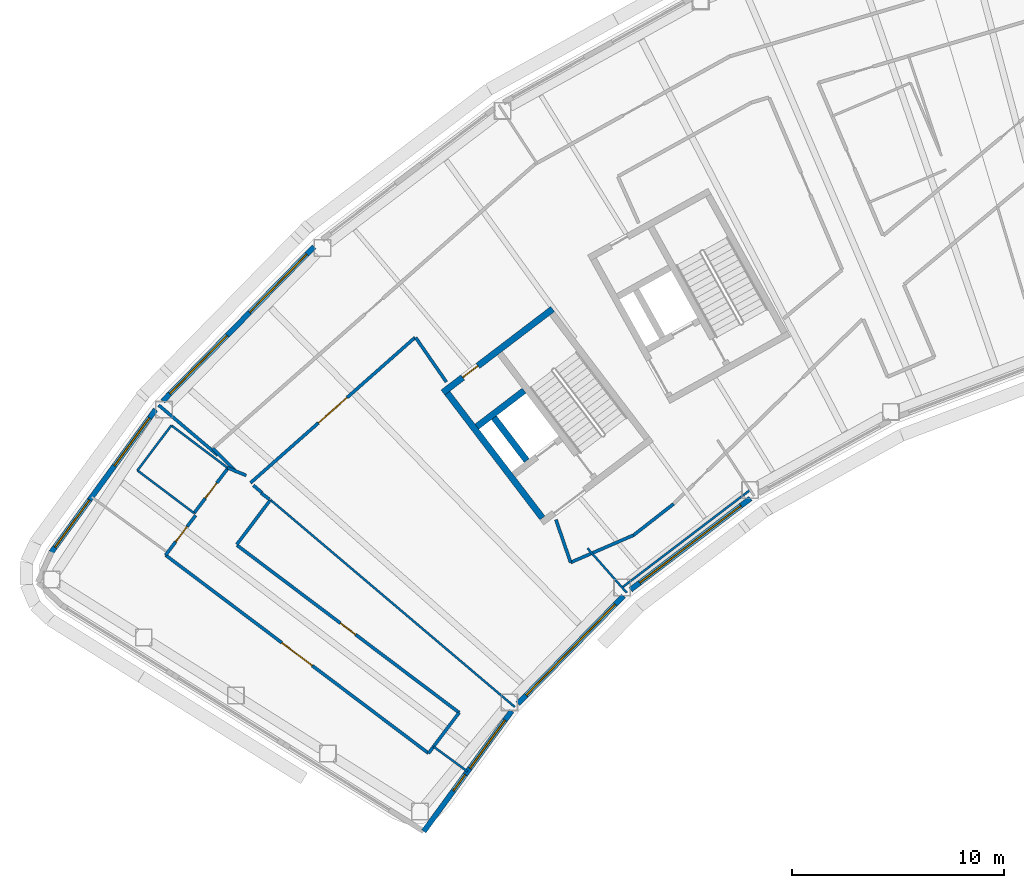
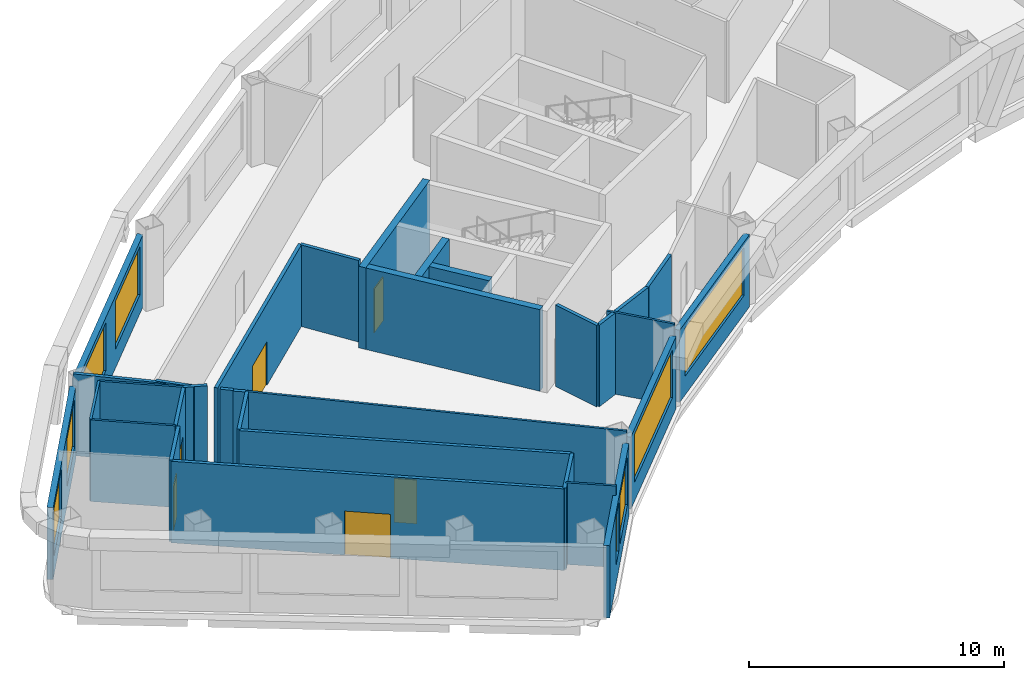
# One storey, part 5 of 14: 32 walls, 8 windows, 6 doors, 14 openings.
"""IFC4 building model written with IfcOpenShell, lengths in metres."""

from ifc_helpers import new_model, si_unit, direction, frame, frame_2d, origin, place, context, subcontext, project, spatial, rectangle, extrude, material, layer, layer_set, type_object, element, fill, save


model = new_model("IFC4")

# Units and contexts
model_context = context("Model", 3, precision=1e-05, world=origin(), true_north=direction((0.0, 1.0)))
body_context = subcontext(model_context, "Body", "Model", "MODEL_VIEW")
ifc_project = project(units=[si_unit("LENGTHUNIT", "METRE"), si_unit("AREAUNIT", "SQUARE_METRE"), si_unit("VOLUMEUNIT", "CUBIC_METRE"), si_unit("PLANEANGLEUNIT", "RADIAN"), si_unit("MASSUNIT", "GRAM", prefix="KILO")], contexts=[model_context])

# Site, building, storey
site_placement = place(None, origin())
site = spatial("IfcSite", under=ifc_project, at=site_placement, CompositionType="ELEMENT")
building_placement = place(site_placement, origin())
building = spatial("IfcBuilding", under=site, at=building_placement, Name="Tuul Gate Civic Tower", CompositionType="ELEMENT")
storey_placement = place(building_placement, frame((0.0, 0.0, 323.89990234375)))
storey = spatial("IfcBuildingStorey", under=building, at=storey_placement, Name="Level 73", CompositionType="ELEMENT", Elevation=323.89990234375)

# Wall
ifc_material_1 = material(Name="Concrete C50/60", Category="concrete")
ifc_layer_1 = layer(ifc_material_1, 0.300048828125)
ifc_layer_set_1 = layer_set([ifc_layer_1], Name="Concrete C50/60")
wall_type_1 = type_object("IfcWallType", Name="Core wall C50/60", PredefinedType="SHEAR", material=ifc_layer_set_1)
wall_1_placement = place(storey_placement, frame((-37.197509765625, -11.39306640625, 0.0), z_axis=(0.0, 0.0, 1.0), x_axis=(-0.795583820278, -0.605843531707, 0.0)))
element("IfcWall", 1, at=wall_1_placement, inside=storey, type_object=wall_type_1, Name="Core wall", PredefinedType="SHEAR", context=body_context, shape_type="SweptSolid", body=[
    extrude(rectangle(XDim=2.7998046875, YDim=0.300048828125, at=frame_2d((1.39990234375, 0.0))), origin(), (0.0, 0.0, 1.0), 3.900146484375),
])

# Wall, opening, door
wall_2_placement = place(storey_placement, frame((-35.855224609375, -7.543212890625, 0.0), z_axis=(0.0, 0.0, 1.0), x_axis=(-0.79563860527, -0.605771582202, 0.0)))
wall_2 = element("IfcWall", 2, at=wall_2_placement, inside=storey, type_object=wall_type_1, Name="Core wall", PredefinedType="SHEAR", context=body_context, shape_type="SweptSolid", body=[
    extrude(rectangle(XDim=6.5, YDim=0.300048828125, at=frame_2d((3.25, 0.0))), origin(), (0.0, 0.0, 1.0), 3.900146484375),
])
opening_1_placement = place(wall_2_placement, frame((4.425048828125, 0.0, 0.0)))
opening_1 = element("IfcOpeningElement", 3, at=opening_1_placement, cuts=wall_2, Name="Opening AA-D28", PredefinedType="OPENING", context=body_context, shape_type="SweptSolid", body=[
    extrude(rectangle(XDim=0.89990234375, YDim=2.10009765625, at=frame_2d((0.449951171875, 1.050048828125))), frame((0.0, 0.16015625, 0.0), z_axis=(0.0, -1.0, 0.0), x_axis=(1.0, 0.0, 0.0)), (0.0, 0.0, 1.0), 0.320068359375),
])
ifc_material_2 = material(Name="Timber door leaf", Category="wood")
door_type_1 = type_object("IfcDoorType", Name="Door D09", OperationType="NOTDEFINED", PredefinedType="DOOR", material=ifc_material_2)
door_1_placement = place(opening_1_placement, origin())
door_1 = element("IfcDoor", 4, at=door_1_placement, inside=storey, type_object=door_type_1, Name="Door AA-D28", OperationType="SINGLE_SWING_LEFT", OverallHeight=2.10009765625, OverallWidth=0.89990234375, PredefinedType="DOOR", context=body_context, shape_type="SweptSolid", body=[
    extrude(rectangle(XDim=0.89990234375, YDim=2.10009765625, at=frame_2d((0.449951171875, 1.050048828125))), frame((0.0, 0.02490234375, 0.0), z_axis=(0.0, -1.0, 0.0), x_axis=(1.0, 0.0, 0.0)), (0.0, 0.0, 1.0), 0.050048828125),
])
fill(opening_1, door_1)

# Walls
wall_3_placement = place(storey_placement, frame((-37.073486328125, -14.6923828125, 0.0), z_axis=(0.0, 0.0, 1.0), x_axis=(-0.605728760074, 0.79567120673, 0.0)))
element("IfcWall", 5, at=wall_3_placement, inside=storey, type_object=wall_type_1, Name="Core wall", PredefinedType="SHEAR", context=body_context, shape_type="SweptSolid", body=[
    extrude(rectangle(XDim=2.550048828125, YDim=0.300048828125, at=frame_2d((1.27490234375, 0.0))), origin(), (0.0, 0.0, 1.0), 3.900146484375),
])
wall_4_placement = place(storey_placement, frame((-36.333984375, -17.397216796875, 0.0), z_axis=(0.0, 0.0, 1.0), x_axis=(-0.605753921168, 0.795652051458, 0.0)))
element("IfcWall", 6, at=wall_4_placement, inside=storey, type_object=wall_type_1, Name="Core wall", PredefinedType="SHEAR", context=body_context, shape_type="SweptSolid", body=[
    extrude(rectangle(XDim=7.400146484375, YDim=0.300048828125, at=frame_2d((3.7001953125, 0.0))), origin(), (0.0, 0.0, 1.0), 3.900146484375),
])
ifc_material_3 = material(Name="Gypsum board partition")
ifc_layer_2 = layer(ifc_material_3, 0.14990234375)
ifc_layer_set_2 = layer_set([ifc_layer_2], Name="Gypsum board partition")
wall_type_2 = type_object("IfcWallType", Name="Corridor wall P150", PredefinedType="PARTITIONING", material=ifc_layer_set_2)
wall_5_placement = place(storey_placement, frame((-51.87841796875, -14.11962890625, 0.0), z_axis=(0.0, 0.0, 1.0), x_axis=(0.711673860688, -0.702510011326, 0.0)))
element("IfcWall", 7, at=wall_5_placement, inside=storey, type_object=wall_type_2, Name="p038", PredefinedType="PARTITIONING", context=body_context, shape_type="SweptSolid", body=[
    extrude(rectangle(XDim=1.57177734375, YDim=0.14990234375, at=frame_2d((0.785888671875, 0.0))), origin(), (0.0, 0.0, 1.0), 3.900146484375),
])
wall_6_placement = place(storey_placement, frame((-54.4326171875, -12.07421875, 0.0), z_axis=(0.0, 0.0, 1.0), x_axis=(0.762901166705, -0.646515127309, 0.0)))
element("IfcWall", 8, at=wall_6_placement, inside=storey, type_object=wall_type_2, Name="p039", PredefinedType="PARTITIONING", context=body_context, shape_type="SweptSolid", body=[
    extrude(rectangle(XDim=3.666748046875, YDim=0.14990234375, at=frame_2d((1.83349609375, 0.0))), origin(), (0.0, 0.0, 1.0), 3.900146484375),
])
wall_7_placement = place(storey_placement, frame((-49.968994140625, -15.857421875, 0.0), z_axis=(0.0, 0.0, 1.0), x_axis=(0.762801987049, -0.64663214315, 0.0)))
element("IfcWall", 9, at=wall_7_placement, inside=storey, type_object=wall_type_2, Name="p040", PredefinedType="PARTITIONING", context=body_context, shape_type="SweptSolid", body=[
    extrude(rectangle(XDim=0.523193359375, YDim=0.14990234375, at=frame_2d((0.26171875, 0.0))), origin(), (0.0, 0.0, 1.0), 3.900146484375),
])
wall_8_placement = place(storey_placement, frame((-41.705078125, -28.493408203125, 0.0), z_axis=(0.0, 0.0, 1.0), x_axis=(0.601790021966, 0.798654349179, 0.0)))
element("IfcWall", 10, at=wall_8_placement, inside=storey, type_object=wall_type_2, Name="p046", PredefinedType="PARTITIONING", context=body_context, shape_type="SweptSolid", body=[
    extrude(rectangle(XDim=2.3984375, YDim=0.14990234375, at=frame_2d((1.19921875, 0.0))), origin(), (0.0, 0.0, 1.0), 3.900146484375),
])

# Wall, opening, door
wall_9_placement = place(storey_placement, frame((-50.7451171875, -18.67724609375, 0.0), z_axis=(0.0, 0.0, 1.0), x_axis=(0.798640971106, -0.601807776015, 0.0)))
wall_9 = element("IfcWall", 11, at=wall_9_placement, inside=storey, type_object=wall_type_2, Name="p047", PredefinedType="PARTITIONING", context=body_context, shape_type="SweptSolid", body=[
    extrude(rectangle(XDim=13.12646484375, YDim=0.14990234375, at=frame_2d((6.563232421875, 0.0))), origin(), (0.0, 0.0, 1.0), 3.900146484375),
])
opening_2_placement = place(wall_9_placement, frame((6.11328125, 0.0, 0.0)))
opening_2 = element("IfcOpeningElement", 12, at=opening_2_placement, cuts=wall_9, Name="Opening AA-D06", PredefinedType="OPENING", context=body_context, shape_type="SweptSolid", body=[
    extrude(rectangle(XDim=0.89990234375, YDim=2.10009765625, at=frame_2d((0.449951171875, 1.050048828125))), frame((0.0, 0.0849609375, 0.0), z_axis=(0.0, -1.0, 0.0), x_axis=(1.0, 0.0, 0.0)), (0.0, 0.0, 1.0), 0.169921875),
])
door_2_placement = place(opening_2_placement, origin())
door_2 = element("IfcDoor", 13, at=door_2_placement, inside=storey, type_object=door_type_1, Name="Door AA-D06", OperationType="SINGLE_SWING_RIGHT", OverallHeight=2.10009765625, OverallWidth=0.89990234375, PredefinedType="DOOR", context=body_context, shape_type="SweptSolid", body=[
    extrude(rectangle(XDim=0.89990234375, YDim=2.10009765625, at=frame_2d((0.449951171875, 1.050048828125))), frame((0.0, 0.02490234375, 0.0), z_axis=(0.0, -1.0, 0.0), x_axis=(1.0, 0.0, 0.0)), (0.0, 0.0, 1.0), 0.050048828125),
])
fill(opening_2, door_2)

# Wall
wall_10_placement = place(storey_placement, frame((-50.7490234375, -18.649169921875, 0.0), z_axis=(0.0, 0.0, 1.0), x_axis=(0.601833006212, 0.798621958522, 0.0)))
element("IfcWall", 14, at=wall_10_placement, inside=storey, type_object=wall_type_2, Name="p048", PredefinedType="PARTITIONING", context=body_context, shape_type="SweptSolid", body=[
    extrude(rectangle(XDim=2.618896484375, YDim=0.14990234375, at=frame_2d((1.3095703125, 0.0))), origin(), (0.0, 0.0, 1.0), 3.900146484375),
])

# Wall, opening, door
wall_11_placement = place(storey_placement, frame((-52.7626953125, -17.1689453125, 0.0), z_axis=(0.0, 0.0, 1.0), x_axis=(0.601806091049, 0.798642240792, 0.0)))
wall_11 = element("IfcWall", 15, at=wall_11_placement, inside=storey, type_object=wall_type_2, Name="p049", PredefinedType="PARTITIONING", context=body_context, shape_type="SweptSolid", body=[
    extrude(rectangle(XDim=2.657958984375, YDim=0.14990234375, at=frame_2d((1.3291015625, 0.0))), origin(), (0.0, 0.0, 1.0), 3.900146484375),
])
opening_3_placement = place(wall_11_placement, frame((0.879150390625, 0.0, 0.0)))
opening_3 = element("IfcOpeningElement", 16, at=opening_3_placement, cuts=wall_11, Name="Opening AA-D07", PredefinedType="OPENING", context=body_context, shape_type="SweptSolid", body=[
    extrude(rectangle(XDim=0.89990234375, YDim=2.10009765625, at=frame_2d((0.449951171875, 1.050048828125))), frame((0.0, 0.0849609375, 0.0), z_axis=(0.0, -1.0, 0.0), x_axis=(1.0, 0.0, 0.0)), (0.0, 0.0, 1.0), 0.169921875),
])
door_3_placement = place(opening_3_placement, origin())
door_3 = element("IfcDoor", 17, at=door_3_placement, inside=storey, type_object=door_type_1, Name="Door AA-D07", OperationType="SINGLE_SWING_RIGHT", OverallHeight=2.10009765625, OverallWidth=0.89990234375, PredefinedType="DOOR", context=body_context, shape_type="SweptSolid", body=[
    extrude(rectangle(XDim=0.89990234375, YDim=2.10009765625, at=frame_2d((0.449951171875, 1.050048828125))), frame((0.0, 0.02490234375, 0.0), z_axis=(0.0, -1.0, 0.0), x_axis=(1.0, 0.0, 0.0)), (0.0, 0.0, 1.0), 0.050048828125),
])
fill(opening_3, door_3)

# Walls
wall_12_placement = place(storey_placement, frame((-51.18701171875, -15.028076171875, 0.0), z_axis=(0.0, 0.0, 1.0), x_axis=(0.924566919074, -0.381019700481, 0.0)))
element("IfcWall", 18, at=wall_12_placement, inside=storey, type_object=wall_type_2, Name="p050", PredefinedType="PARTITIONING", context=body_context, shape_type="SweptSolid", body=[
    extrude(rectangle(XDim=0.955322265625, YDim=0.14990234375, at=frame_2d((0.4775390625, 0.0))), origin(), (0.0, 0.0, 1.0), 3.900146484375),
])
wall_13_placement = place(storey_placement, frame((-49.594482421875, -16.228515625, 0.0), z_axis=(0.0, 0.0, 1.0), x_axis=(0.798668600467, -0.60177110817, 0.0)))
element("IfcWall", 19, at=wall_13_placement, inside=storey, type_object=wall_type_2, Name="p051", PredefinedType="PARTITIONING", context=body_context, shape_type="SweptSolid", body=[
    extrude(rectangle(XDim=0.48486328125, YDim=0.14990234375, at=frame_2d((0.242431640625, 0.0))), origin(), (0.0, 0.0, 1.0), 3.900146484375),
])

# Wall, opening, door
wall_14_placement = place(storey_placement, frame((-54.105224609375, -19.1494140625, 0.0), z_axis=(0.0, 0.0, 1.0), x_axis=(0.601810855583, 0.798638650519, 0.0)))
wall_14 = element("IfcWall", 20, at=wall_14_placement, inside=storey, type_object=wall_type_2, Name="p055", PredefinedType="PARTITIONING", context=body_context, shape_type="SweptSolid", body=[
    extrude(rectangle(XDim=2.349365234375, YDim=0.14990234375, at=frame_2d((1.1748046875, 0.0))), origin(), (0.0, 0.0, 1.0), 3.900146484375),
])
opening_4_placement = place(wall_14_placement, frame((0.788818359375, 0.0, 0.0)))
opening_4 = element("IfcOpeningElement", 21, at=opening_4_placement, cuts=wall_14, Name="Opening AA-D26", PredefinedType="OPENING", context=body_context, shape_type="SweptSolid", body=[
    extrude(rectangle(XDim=0.89990234375, YDim=2.10009765625, at=frame_2d((0.449951171875, 1.050048828125))), frame((0.0, 0.0849609375, 0.0), z_axis=(0.0, -1.0, 0.0), x_axis=(1.0, 0.0, 0.0)), (0.0, 0.0, 1.0), 0.169921875),
])
door_4_placement = place(opening_4_placement, origin())
door_4 = element("IfcDoor", 22, at=door_4_placement, inside=storey, type_object=door_type_1, Name="Door AA-D26", OperationType="SINGLE_SWING_LEFT", OverallHeight=2.10009765625, OverallWidth=0.89990234375, PredefinedType="DOOR", context=body_context, shape_type="SweptSolid", body=[
    extrude(rectangle(XDim=0.89990234375, YDim=2.10009765625, at=frame_2d((0.449951171875, 1.050048828125))), frame((0.0, 0.02490234375, 0.0), z_axis=(0.0, -1.0, 0.0), x_axis=(1.0, 0.0, 0.0)), (0.0, 0.0, 1.0), 0.050048828125),
])
fill(opening_4, door_4)

wall_15_placement = place(storey_placement, frame((-54.10498046875, -19.150390625, 0.0), z_axis=(0.0, 0.0, 1.0), x_axis=(0.798635479728, -0.601815063387, 0.0)))
wall_15 = element("IfcWall", 23, at=wall_15_placement, inside=storey, type_object=wall_type_2, Name="p056", PredefinedType="PARTITIONING", context=body_context, shape_type="SweptSolid", body=[
    extrude(rectangle(XDim=15.525146484375, YDim=0.14990234375, at=frame_2d((7.7626953125, 0.0))), origin(), (0.0, 0.0, 1.0), 3.900146484375),
])
opening_5_placement = place(wall_15_placement, frame((6.862548828125, 0.0, 0.0)))
opening_5 = element("IfcOpeningElement", 24, at=opening_5_placement, cuts=wall_15, Name="Opening AA-D08", PredefinedType="OPENING", context=body_context, shape_type="SweptSolid", body=[
    extrude(rectangle(XDim=1.800048828125, YDim=2.10009765625, at=frame_2d((0.89990234375, 1.050048828125))), frame((0.0, 0.0849609375, 0.0), z_axis=(0.0, -1.0, 0.0), x_axis=(1.0, 0.0, 0.0)), (0.0, 0.0, 1.0), 0.169921875),
])
ifc_material_4 = material(Name="Timber door leaf, double", Category="wood")
door_type_2 = type_object("IfcDoorType", Name="Door D18", OperationType="DOUBLE_DOOR_SINGLE_SWING", PredefinedType="DOOR", material=ifc_material_4)
door_5_placement = place(opening_5_placement, frame((1.800048828125, 0.0, 0.0), z_axis=(0.0, 0.0, 1.0), x_axis=(-1.0, 0.0, 0.0)))
door_5 = element("IfcDoor", 25, at=door_5_placement, inside=storey, type_object=door_type_2, Name="Door AA-D08", OperationType="DOUBLE_DOOR_SINGLE_SWING", OverallHeight=2.10009765625, OverallWidth=1.800048828125, PredefinedType="DOOR", context=body_context, shape_type="SweptSolid", body=[
    extrude(rectangle(XDim=1.800048828125, YDim=2.10009765625, at=frame_2d((0.900146484375, 1.050048828125))), frame((0.0, 0.02490234375, 0.0), z_axis=(0.0, -1.0, 0.0), x_axis=(1.0, 0.0, 0.0)), (0.0, 0.0, 1.0), 0.050048828125),
])
fill(opening_5, door_5)

# Walls
wall_16_placement = place(storey_placement, frame((-35.00390625, -19.4951171875, 0.0), z_axis=(0.0, 0.0, 1.0), x_axis=(0.917587753469, 0.397533287517, 0.0)))
element("IfcWall", 26, at=wall_16_placement, inside=storey, type_object=wall_type_2, Name="p078", PredefinedType="PARTITIONING", context=body_context, shape_type="SweptSolid", body=[
    extrude(rectangle(XDim=3.234130859375, YDim=0.14990234375, at=frame_2d((1.6171875, 0.0))), origin(), (0.0, 0.0, 1.0), 3.900146484375),
])
wall_17_placement = place(storey_placement, frame((-32.035400390625, -18.20947265625, 0.0), z_axis=(0.0, 0.0, 1.0), x_axis=(0.788045977817, 0.615616387734, 0.0)))
element("IfcWall", 27, at=wall_17_placement, inside=storey, type_object=wall_type_2, Name="p093", PredefinedType="PARTITIONING", context=body_context, shape_type="SweptSolid", body=[
    extrude(rectangle(XDim=2.3984375, YDim=0.14990234375, at=frame_2d((1.19921875, 0.0))), origin(), (0.0, 0.0, 1.0), 3.900146484375),
])

# Wall, opening, door
wall_18_placement = place(storey_placement, frame((-50.102294921875, -15.744384765625, 0.0), z_axis=(0.0, 0.0, 1.0), x_axis=(0.749324461292, 0.662203029069, 0.0)))
wall_18 = element("IfcWall", 28, at=wall_18_placement, inside=storey, type_object=wall_type_2, Name="p095", PredefinedType="PARTITIONING", context=body_context, shape_type="SweptSolid", body=[
    extrude(rectangle(XDim=10.357421875, YDim=0.14990234375, at=frame_2d((5.1787109375, 0.0))), origin(), (0.0, 0.0, 1.0), 3.900146484375),
])
opening_6_placement = place(wall_18_placement, frame((4.278564453125, 0.0, 0.0)))
opening_6 = element("IfcOpeningElement", 29, at=opening_6_placement, cuts=wall_18, Name="Opening AA-D19", PredefinedType="OPENING", context=body_context, shape_type="SweptSolid", body=[
    extrude(rectangle(XDim=1.800048828125, YDim=2.10009765625, at=frame_2d((0.89990234375, 1.050048828125))), frame((0.0, 0.0849609375, 0.0), z_axis=(0.0, -1.0, 0.0), x_axis=(1.0, 0.0, 0.0)), (0.0, 0.0, 1.0), 0.169921875),
])
door_6_placement = place(opening_6_placement, frame((1.800048828125, 0.0, 0.0), z_axis=(0.0, 0.0, 1.0), x_axis=(-1.0, 0.0, 0.0)))
door_6 = element("IfcDoor", 30, at=door_6_placement, inside=storey, type_object=door_type_2, Name="Door AA-D19", OperationType="DOUBLE_DOOR_SINGLE_SWING", OverallHeight=2.10009765625, OverallWidth=1.800048828125, PredefinedType="DOOR", context=body_context, shape_type="SweptSolid", body=[
    extrude(rectangle(XDim=1.800048828125, YDim=2.10009765625, at=frame_2d((0.900146484375, 1.050048828125))), frame((0.0, 0.02490234375, 0.0), z_axis=(0.0, -1.0, 0.0), x_axis=(1.0, 0.0, 0.0)), (0.0, 0.0, 1.0), 0.050048828125),
])
fill(opening_6, door_6)

# Walls
wall_19_placement = place(storey_placement, frame((-42.31103515625, -8.889404296875, 0.0), z_axis=(0.0, 0.0, 1.0), x_axis=(0.568625654389, -0.822596416945, 0.0)))
element("IfcWall", 31, at=wall_19_placement, inside=storey, type_object=wall_type_2, Name="p096", PredefinedType="PARTITIONING", context=body_context, shape_type="SweptSolid", body=[
    extrude(rectangle(XDim=2.542724609375, YDim=0.14990234375, at=frame_2d((1.271484375, 0.0))), origin(), (0.0, 0.0, 1.0), 3.900146484375),
])
wall_20_placement = place(storey_placement, frame((-35.695556640625, -17.4765625, 0.0), z_axis=(0.0, 0.0, 1.0), x_axis=(0.324145880137, -0.946007108002, 0.0)))
element("IfcWall", 32, at=wall_20_placement, inside=storey, type_object=wall_type_2, Name="p097", PredefinedType="PARTITIONING", context=body_context, shape_type="SweptSolid", body=[
    extrude(rectangle(XDim=2.1337890625, YDim=0.14990234375, at=frame_2d((1.06689453125, 0.0))), origin(), (0.0, 0.0, 1.0), 3.900146484375),
])

# Wall, openings, windows
ifc_material_5 = material(Name="Precast concrete C40/50", Category="concrete")
ifc_layer_3 = layer(ifc_material_5, 0.25)
ifc_layer_set_3 = layer_set([ifc_layer_3], Name="Precast concrete C40/50")
wall_type_3 = type_object("IfcWallType", Name="External wall", PredefinedType="STANDARD", material=ifc_layer_set_3)
wall_21_placement = place(storey_placement, frame((-47.10595703125, -4.607666015625, 0.0), z_axis=(0.0, 0.0, 1.0), x_axis=(-0.700055609081, -0.714088330807, 0.0)))
wall_21 = element("IfcWall", 33, at=wall_21_placement, inside=storey, type_object=wall_type_3, Name="External wall", PredefinedType="STANDARD", context=body_context, shape_type="SweptSolid", body=[
    extrude(rectangle(XDim=10.1953125, YDim=0.25, at=frame_2d((5.09765625, 0.0))), origin(), (0.0, 0.0, 1.0), 3.4501953125),
])
opening_7_placement = place(wall_21_placement, frame((0.4873046875, 0.0, 0.89990234375)))
opening_7 = element("IfcOpeningElement", 34, at=opening_7_placement, cuts=wall_21, Name="Opening W22", PredefinedType="OPENING", context=body_context, shape_type="SweptSolid", body=[
    extrude(rectangle(XDim=3.85009765625, YDim=2.300048828125, at=frame_2d((1.925048828125, 1.14990234375))), frame((0.0, 0.135009765625, 0.0), z_axis=(0.0, -1.0, 0.0), x_axis=(1.0, 0.0, 0.0)), (0.0, 0.0, 1.0), 0.27001953125),
])
opening_8_placement = place(wall_21_placement, frame((5.8583984375, 0.0, 0.89990234375)))
opening_8 = element("IfcOpeningElement", 35, at=opening_8_placement, cuts=wall_21, Name="Opening W22", PredefinedType="OPENING", context=body_context, shape_type="SweptSolid", body=[
    extrude(rectangle(XDim=3.85009765625, YDim=2.300048828125, at=frame_2d((1.925048828125, 1.14990234375))), frame((0.0, 0.135009765625, 0.0), z_axis=(0.0, -1.0, 0.0), x_axis=(1.0, 0.0, 0.0)), (0.0, 0.0, 1.0), 0.27001953125),
])
ifc_material_6 = material(Name="Glass", Category="glass")
window_type_1 = type_object("IfcWindowType", Name="Window W22 3850 x 2300", PartitioningType="SINGLE_PANEL", PredefinedType="WINDOW", material=ifc_material_6)
window_1_placement = place(opening_7_placement, origin())
window_1 = element("IfcWindow", 36, at=window_1_placement, inside=storey, type_object=window_type_1, Name="Window", OverallHeight=2.300048828125, OverallWidth=3.85009765625, PartitioningType="SINGLE_PANEL", PredefinedType="WINDOW", context=body_context, shape_type="SweptSolid", body=[
    extrude(rectangle(XDim=3.85009765625, YDim=2.300048828125, at=frame_2d((1.925048828125, 1.14990234375))), frame((0.0, 0.030029296875, 0.0), z_axis=(0.0, -1.0, 0.0), x_axis=(1.0, 0.0, 0.0)), (0.0, 0.0, 1.0), 0.06005859375),
])
fill(opening_7, window_1)
window_2_placement = place(opening_8_placement, origin())
window_2 = element("IfcWindow", 37, at=window_2_placement, inside=storey, type_object=window_type_1, Name="Window", OverallHeight=2.300048828125, OverallWidth=3.85009765625, PartitioningType="SINGLE_PANEL", PredefinedType="WINDOW", context=body_context, shape_type="SweptSolid", body=[
    extrude(rectangle(XDim=3.85009765625, YDim=2.300048828125, at=frame_2d((1.925048828125, 1.14990234375))), frame((0.0, 0.030029296875, 0.0), z_axis=(0.0, -1.0, 0.0), x_axis=(1.0, 0.0, 0.0)), (0.0, 0.0, 1.0), 0.06005859375),
])
fill(opening_8, window_2)

wall_22_placement = place(storey_placement, frame((-54.580078125, -12.28466796875, 0.0), z_axis=(0.0, 0.0, 1.0), x_axis=(-0.58975151757, -0.80758476182, 0.0)))
wall_22 = element("IfcWall", 38, at=wall_22_placement, inside=storey, type_object=wall_type_3, Name="External wall", PredefinedType="STANDARD", context=body_context, shape_type="SweptSolid", body=[
    extrude(rectangle(XDim=8.33740234375, YDim=0.25, at=frame_2d((4.168701171875, 0.0))), origin(), (0.0, 0.0, 1.0), 3.4501953125),
])
opening_9_placement = place(wall_22_placement, frame((0.48486328125, 0.0, 0.89990234375)))
opening_9 = element("IfcOpeningElement", 39, at=opening_9_placement, cuts=wall_22, Name="Opening W23", PredefinedType="OPENING", context=body_context, shape_type="SweptSolid", body=[
    extrude(rectangle(XDim=2.800048828125, YDim=2.300048828125, at=frame_2d((1.39990234375, 1.14990234375))), frame((0.0, 0.135009765625, 0.0), z_axis=(0.0, -1.0, 0.0), x_axis=(1.0, 0.0, 0.0)), (0.0, 0.0, 1.0), 0.27001953125),
])
opening_10_placement = place(wall_22_placement, frame((5.283203125, 0.0, 0.89990234375)))
opening_10 = element("IfcOpeningElement", 40, at=opening_10_placement, cuts=wall_22, Name="Opening W30", PredefinedType="OPENING", context=body_context, shape_type="SweptSolid", body=[
    extrude(rectangle(XDim=2.75, YDim=2.300048828125, at=frame_2d((1.375, 1.14990234375))), frame((0.0, 0.135009765625, 0.0), z_axis=(0.0, -1.0, 0.0), x_axis=(1.0, 0.0, 0.0)), (0.0, 0.0, 1.0), 0.27001953125),
])
ifc_material_7 = material(Name="Glass", Category="glass")
window_type_2 = type_object("IfcWindowType", Name="Window 2750 x 2300", PartitioningType="SINGLE_PANEL", PredefinedType="WINDOW", material=ifc_material_7)
window_3_placement = place(opening_10_placement, origin())
window_3 = element("IfcWindow", 41, at=window_3_placement, inside=storey, type_object=window_type_2, Name="Window", OverallHeight=2.300048828125, OverallWidth=2.75, PartitioningType="SINGLE_PANEL", PredefinedType="WINDOW", context=body_context, shape_type="SweptSolid", body=[
    extrude(rectangle(XDim=2.75, YDim=2.300048828125, at=frame_2d((1.375, 1.14990234375))), frame((0.0, 0.030029296875, 0.0), z_axis=(0.0, -1.0, 0.0), x_axis=(1.0, 0.0, 0.0)), (0.0, 0.0, 1.0), 0.06005859375),
])
fill(opening_10, window_3)
ifc_material_8 = material(Name="Glass", Category="glass")
window_type_3 = type_object("IfcWindowType", Name="Window W23 2800 x 2300", PartitioningType="SINGLE_PANEL", PredefinedType="WINDOW", material=ifc_material_8)
window_4_placement = place(opening_9_placement, origin())
window_4 = element("IfcWindow", 42, at=window_4_placement, inside=storey, type_object=window_type_3, Name="Window", OverallHeight=2.300048828125, OverallWidth=2.800048828125, PartitioningType="SINGLE_PANEL", PredefinedType="WINDOW", context=body_context, shape_type="SweptSolid", body=[
    extrude(rectangle(XDim=2.800048828125, YDim=2.300048828125, at=frame_2d((1.39990234375, 1.14990234375))), frame((0.0, 0.030029296875, 0.0), z_axis=(0.0, -1.0, 0.0), x_axis=(1.0, 0.0, 0.0)), (0.0, 0.0, 1.0), 0.06005859375),
])
fill(opening_9, window_4)

wall_23_placement = place(storey_placement, frame((-41.927490234375, -32.177490234375, 0.0), z_axis=(0.0, 0.0, 1.0), x_axis=(0.589749390831, 0.8075863149, 0.0)))
wall_23 = element("IfcWall", 43, at=wall_23_placement, inside=storey, type_object=wall_type_3, Name="External wall", PredefinedType="STANDARD", context=body_context, shape_type="SweptSolid", body=[
    extrude(rectangle(XDim=7.033935546875, YDim=0.25, at=frame_2d((3.51708984375, 0.0))), origin(), (0.0, 0.0, 1.0), 3.4501953125),
])
opening_11_placement = place(wall_23_placement, frame((2.36474609375, 0.0, 0.89990234375)))
opening_11 = element("IfcOpeningElement", 44, at=opening_11_placement, cuts=wall_23, Name="Opening W71", PredefinedType="OPENING", context=body_context, shape_type="SweptSolid", body=[
    extrude(rectangle(XDim=0.949951171875, YDim=2.300048828125, at=frame_2d((0.47509765625, 1.14990234375))), frame((0.0, 0.135009765625, 0.0), z_axis=(0.0, -1.0, 0.0), x_axis=(1.0, 0.0, 0.0)), (0.0, 0.0, 1.0), 0.27001953125),
])
opening_12_placement = place(wall_23_placement, frame((3.68994140625, 0.0, 0.89990234375)))
opening_12 = element("IfcOpeningElement", 45, at=opening_12_placement, cuts=wall_23, Name="Opening W36", PredefinedType="OPENING", context=body_context, shape_type="SweptSolid", body=[
    extrude(rectangle(XDim=2.800048828125, YDim=2.300048828125, at=frame_2d((1.39990234375, 1.14990234375))), frame((0.0, 0.135009765625, 0.0), z_axis=(0.0, -1.0, 0.0), x_axis=(1.0, 0.0, 0.0)), (0.0, 0.0, 1.0), 0.27001953125),
])
ifc_material_9 = material(Name="Glass", Category="glass")
window_type_4 = type_object("IfcWindowType", Name="Window 2800 x 2300", PartitioningType="SINGLE_PANEL", PredefinedType="WINDOW", material=ifc_material_9)
window_5_placement = place(opening_12_placement, origin())
window_5 = element("IfcWindow", 46, at=window_5_placement, inside=storey, type_object=window_type_4, Name="Window", OverallHeight=2.300048828125, OverallWidth=2.800048828125, PartitioningType="SINGLE_PANEL", PredefinedType="WINDOW", context=body_context, shape_type="SweptSolid", body=[
    extrude(rectangle(XDim=2.800048828125, YDim=2.300048828125, at=frame_2d((1.39990234375, 1.14990234375))), frame((0.0, 0.030029296875, 0.0), z_axis=(0.0, -1.0, 0.0), x_axis=(1.0, 0.0, 0.0)), (0.0, 0.0, 1.0), 0.06005859375),
])
fill(opening_12, window_5)
ifc_material_10 = material(Name="Glass", Category="glass")
window_type_5 = type_object("IfcWindowType", Name="Window 950 x 2300", PartitioningType="SINGLE_PANEL", PredefinedType="WINDOW", material=ifc_material_10)
window_6_placement = place(opening_11_placement, origin())
window_6 = element("IfcWindow", 47, at=window_6_placement, inside=storey, type_object=window_type_5, Name="Window", OverallHeight=2.300048828125, OverallWidth=0.949951171875, PartitioningType="SINGLE_PANEL", PredefinedType="WINDOW", context=body_context, shape_type="SweptSolid", body=[
    extrude(rectangle(XDim=0.949951171875, YDim=2.300048828125, at=frame_2d((0.47509765625, 1.14990234375))), frame((0.0, 0.030029296875, 0.0), z_axis=(0.0, -1.0, 0.0), x_axis=(1.0, 0.0, 0.0)), (0.0, 0.0, 1.0), 0.06005859375),
])
fill(opening_11, window_6)

# Wall, opening, window
wall_24_placement = place(storey_placement, frame((-37.489013671875, -26.15234375, 0.0), z_axis=(0.0, 0.0, 1.0), x_axis=(0.700085141996, 0.714059377052, 0.0)))
wall_24 = element("IfcWall", 48, at=wall_24_placement, inside=storey, type_object=wall_type_3, Name="External wall", PredefinedType="STANDARD", context=body_context, shape_type="SweptSolid", body=[
    extrude(rectangle(XDim=7.110595703125, YDim=0.25, at=frame_2d((3.55517578125, 0.0))), origin(), (0.0, 0.0, 1.0), 3.4501953125),
])
opening_13_placement = place(wall_24_placement, frame((0.5556640625, 0.0, 0.89990234375)))
opening_13 = element("IfcOpeningElement", 49, at=opening_13_placement, cuts=wall_24, Name="Opening W26", PredefinedType="OPENING", context=body_context, shape_type="SweptSolid", body=[
    extrude(rectangle(XDim=6.0, YDim=2.300048828125, at=frame_2d((3.0, 1.14990234375))), frame((0.0, 0.135009765625, 0.0), z_axis=(0.0, -1.0, 0.0), x_axis=(1.0, 0.0, 0.0)), (0.0, 0.0, 1.0), 0.27001953125),
])
ifc_material_11 = material(Name="Glass", Category="glass")
window_type_6 = type_object("IfcWindowType", Name="Window W26 6000 x 2300", PartitioningType="SINGLE_PANEL", PredefinedType="WINDOW", material=ifc_material_11)
window_7_placement = place(opening_13_placement, origin())
window_7 = element("IfcWindow", 50, at=window_7_placement, inside=storey, type_object=window_type_6, Name="Window", OverallHeight=2.300048828125, OverallWidth=6.0, PartitioningType="SINGLE_PANEL", PredefinedType="WINDOW", context=body_context, shape_type="SweptSolid", body=[
    extrude(rectangle(XDim=6.0, YDim=2.300048828125, at=frame_2d((3.0, 1.14990234375))), frame((0.0, 0.030029296875, 0.0), z_axis=(0.0, -1.0, 0.0), x_axis=(1.0, 0.0, 0.0)), (0.0, 0.0, 1.0), 0.06005859375),
])
fill(opening_13, window_7)

wall_25_placement = place(storey_placement, frame((-32.175048828125, -20.780029296875, 0.0), z_axis=(0.0, 0.0, 1.0), x_axis=(0.795582375141, 0.605845429433, 0.0)))
wall_25 = element("IfcWall", 51, at=wall_25_placement, inside=storey, type_object=wall_type_3, Name="External wall", PredefinedType="STANDARD", context=body_context, shape_type="SweptSolid", body=[
    extrude(rectangle(XDim=7.10400390625, YDim=0.25, at=frame_2d((3.552001953125, 0.0))), origin(), (0.0, 0.0, 1.0), 3.4501953125),
])
opening_14_placement = place(wall_25_placement, frame((0.541259765625, 0.0, 0.89990234375)))
opening_14 = element("IfcOpeningElement", 52, at=opening_14_placement, cuts=wall_25, Name="Opening W26", PredefinedType="OPENING", context=body_context, shape_type="SweptSolid", body=[
    extrude(rectangle(XDim=6.0, YDim=2.300048828125, at=frame_2d((3.0, 1.14990234375))), frame((0.0, 0.135009765625, 0.0), z_axis=(0.0, -1.0, 0.0), x_axis=(1.0, 0.0, 0.0)), (0.0, 0.0, 1.0), 0.27001953125),
])
window_8_placement = place(opening_14_placement, origin())
window_8 = element("IfcWindow", 53, at=window_8_placement, inside=storey, type_object=window_type_6, Name="Window", OverallHeight=2.300048828125, OverallWidth=6.0, PartitioningType="SINGLE_PANEL", PredefinedType="WINDOW", context=body_context, shape_type="SweptSolid", body=[
    extrude(rectangle(XDim=6.0, YDim=2.300048828125, at=frame_2d((3.0, 1.14990234375))), frame((0.0, 0.030029296875, 0.0), z_axis=(0.0, -1.0, 0.0), x_axis=(1.0, 0.0, 0.0)), (0.0, 0.0, 1.0), 0.06005859375),
])
fill(opening_14, window_8)

# Walls
ifc_material_12 = material(Name="Gypsum board partition")
ifc_layer_4 = layer(ifc_material_12, 0.10009765625)
ifc_layer_set_4 = layer_set([ifc_layer_4], Name="Gypsum board partition")
wall_type_4 = type_object("IfcWallType", Name="Partition P100", PredefinedType="PARTITIONING", material=ifc_layer_set_4)
wall_26_placement = place(storey_placement, frame((-49.164306640625, -16.53955078125, 0.0), z_axis=(0.0, 0.0, 1.0), x_axis=(0.762836304439, -0.646591658336, 0.0)))
element("IfcWall", 54, at=wall_26_placement, inside=storey, type_object=wall_type_4, Name="p043", PredefinedType="PARTITIONING", context=body_context, shape_type="SweptSolid", body=[
    extrude(rectangle(XDim=15.111083984375, YDim=0.10009765625, at=frame_2d((7.5556640625, 0.0))), origin(), (0.0, 0.0, 1.0), 3.900146484375),
])
wall_27_placement = place(storey_placement, frame((-41.47021484375, -28.181640625, 0.0), z_axis=(0.0, 0.0, 1.0), x_axis=(0.807552748324, -0.589795353215, 0.0)))
element("IfcWall", 55, at=wall_27_placement, inside=storey, type_object=wall_type_4, Name="p045", PredefinedType="PARTITIONING", context=body_context, shape_type="SweptSolid", body=[
    extrude(rectangle(XDim=1.9921875, YDim=0.10009765625, at=frame_2d((0.99609375, 0.0))), origin(), (0.0, 0.0, 1.0), 3.900146484375),
])
wall_28_placement = place(storey_placement, frame((-55.434814453125, -15.1552734375, 0.0), z_axis=(0.0, 0.0, 1.0), x_axis=(0.798623203001, -0.601831354806, 0.0)))
element("IfcWall", 56, at=wall_28_placement, inside=storey, type_object=wall_type_4, Name="p052", PredefinedType="PARTITIONING", context=body_context, shape_type="SweptSolid", body=[
    extrude(rectangle(XDim=3.345947265625, YDim=0.10009765625, at=frame_2d((1.6728515625, 0.0))), origin(), (0.0, 0.0, 1.0), 3.900146484375),
])
wall_29_placement = place(storey_placement, frame((-55.434814453125, -15.1552734375, 0.0), z_axis=(0.0, 0.0, 1.0), x_axis=(0.601776389703, 0.798664620974, 0.0)))
element("IfcWall", 57, at=wall_29_placement, inside=storey, type_object=wall_type_4, Name="p053", PredefinedType="PARTITIONING", context=body_context, shape_type="SweptSolid", body=[
    extrude(rectangle(XDim=2.658447265625, YDim=0.10009765625, at=frame_2d((1.3291015625, 0.0))), origin(), (0.0, 0.0, 1.0), 3.900146484375),
])
wall_30_placement = place(storey_placement, frame((-53.8349609375, -13.031982421875, 0.0), z_axis=(0.0, 0.0, 1.0), x_axis=(0.798526625726, -0.601959490336, 0.0)))
element("IfcWall", 58, at=wall_30_placement, inside=storey, type_object=wall_type_4, Name="p054", PredefinedType="PARTITIONING", context=body_context, shape_type="SweptSolid", body=[
    extrude(rectangle(XDim=3.345947265625, YDim=0.10009765625, at=frame_2d((1.6728515625, 0.0))), origin(), (0.0, 0.0, 1.0), 3.900146484375),
])
wall_31_placement = place(storey_placement, frame((-34.204345703125, -18.82861328125, 0.0), z_axis=(0.0, 0.0, 1.0), x_axis=(0.661696770135, -0.749771554804, 0.0)))
element("IfcWall", 59, at=wall_31_placement, inside=storey, type_object=wall_type_4, Name="p091", PredefinedType="PARTITIONING", context=body_context, shape_type="SweptSolid", body=[
    extrude(rectangle(XDim=2.794189453125, YDim=0.10009765625, at=frame_2d((1.39697265625, 0.0))), origin(), (0.0, 0.0, 1.0), 3.900146484375),
])
ifc_material_13 = material(Name="Gypsum board partition")
ifc_layer_5 = layer(ifc_material_13, 0.10009765625)
ifc_layer_set_5 = layer_set([ifc_layer_5], Name="Gypsum board partition")
wall_type_5 = type_object("IfcWallType", Name="Partition P100 3000 HIGH", PredefinedType="PARTITIONING", material=ifc_layer_set_5)
wall_32_placement = place(storey_placement, frame((-26.53466796875, -16.076171875, 0.0), z_axis=(0.0, 0.0, 1.0), x_axis=(-0.795583031994, -0.605844566868, 0.0)))
element("IfcWall", 60, at=wall_32_placement, inside=storey, type_object=wall_type_5, Name="p113", PredefinedType="PARTITIONING", context=body_context, shape_type="SweptSolid", body=[
    extrude(rectangle(XDim=7.591552734375, YDim=0.10009765625, at=frame_2d((3.7958984375, 0.0))), origin(), (0.0, 0.0, 1.0), 3.0),
])

save(model, "model.ifc")
